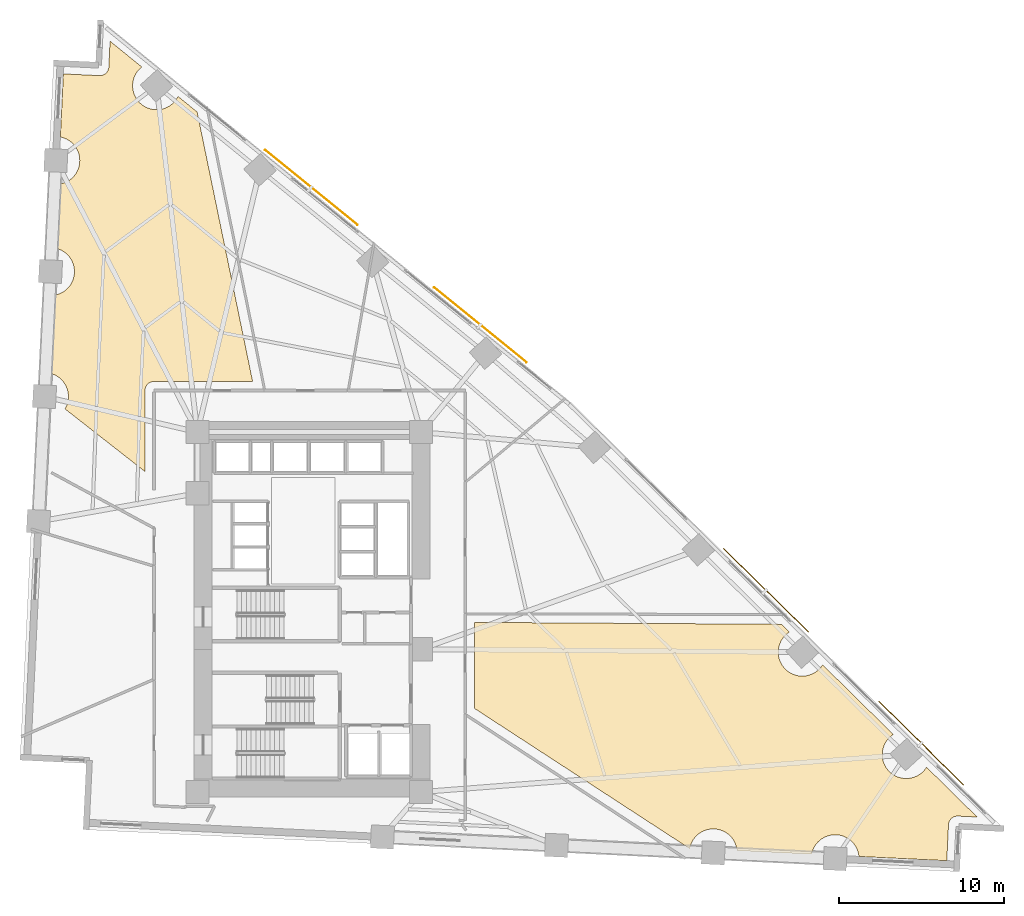
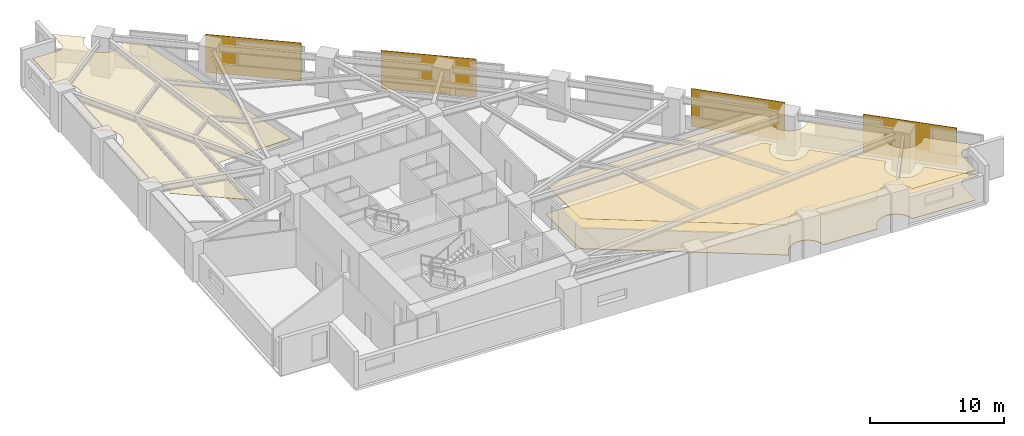
# One storey, part 17 of 17: 4 shading devices, 3 coverings.
"""IFC4 building model written with IfcOpenShell, lengths in metres."""

from ifc_helpers import new_model, si_unit, direction, frame, origin, origin_2d, place, context, subcontext, project, spatial, polyline, rectangle, outline, extrude, material, layer, layer_set, type_object, element, save


model = new_model("IFC4")

# Units and contexts
model_context = context("Model", 3, precision=1e-05, world=origin(), true_north=direction((0.0, 1.0)))
body_context = subcontext(model_context, "Body", "Model", "MODEL_VIEW")
ifc_project = project(units=[si_unit("LENGTHUNIT", "METRE"), si_unit("AREAUNIT", "SQUARE_METRE"), si_unit("VOLUMEUNIT", "CUBIC_METRE"), si_unit("PLANEANGLEUNIT", "RADIAN"), si_unit("MASSUNIT", "GRAM", prefix="KILO")], contexts=[model_context])

# Site, building, storey
site_placement = place(None, origin())
site = spatial("IfcSite", under=ifc_project, at=site_placement, CompositionType="ELEMENT")
building_placement = place(site_placement, origin())
building = spatial("IfcBuilding", under=site, at=building_placement, Name="Narakoshi Arena Tower", CompositionType="ELEMENT")
storey_placement = place(building_placement, frame((0.0, 0.0, 41.10009765625)))
storey = spatial("IfcBuildingStorey", under=building, at=storey_placement, Name="L10", CompositionType="ELEMENT", Elevation=41.10009765625)

# Coverings
ifc_material_1 = material(Name="Acoustic mineral-fibre ceiling tile")
ifc_layer_1 = layer(ifc_material_1, 0.02001953125)
ifc_layer_set_1 = layer_set([ifc_layer_1], Name="Acoustic mineral-fibre ceiling tile")
covering_type_1 = type_object("IfcCoveringType", Name="COV-CLG-AC20", PredefinedType="CEILING", material=ifc_layer_set_1)
covering_1_placement = place(storey_placement, frame((0.0, 0.0, 2.72998046875)))
element("IfcCovering", 1, at=covering_1_placement, inside=storey, type_object=covering_type_1, Name="L10 Suspended Acoustic Ceiling 1", PredefinedType="CEILING", context=body_context, shape_type="SweptSolid", body=[
    extrude(outline(polyline([(118.080810546875, 33.24267578125), (118.02685546875, 33.24267578125), (117.97314453125, 33.2373046875), (117.920166015625, 33.226806640625), (117.868408203125, 33.2109375), (117.818603515625, 33.190185546875), (117.77099609375, 33.164794921875), (117.726318359375, 33.134765625), (117.6845703125, 33.100341796875), (117.646484375, 33.062255859375), (117.6123046875, 33.0205078125), (117.582275390625, 32.9755859375), (117.556884765625, 32.927978515625), (117.536376953125, 32.8779296875), (117.520751953125, 32.826416015625), (117.51025390625, 32.7734375), (117.5048828125, 32.7197265625), (117.400390625, 30.542236328125), (112.07958984375, 30.7978515625), (112.079345703125, 30.803955078125), (112.05859375, 30.94482421875), (112.02392578125, 31.082763671875), (111.97607421875, 31.216796875), (111.915283203125, 31.345458984375), (111.842041015625, 31.467529296875), (111.75732421875, 31.581787109375), (111.66162109375, 31.687255859375), (111.556396484375, 31.78271484375), (111.44189453125, 31.867431640625), (111.31982421875, 31.940673828125), (111.19140625, 32.00146484375), (111.057373046875, 32.049560546875), (110.919189453125, 32.083984375), (110.778564453125, 32.10498046875), (110.636474609375, 32.11181640625), (110.494384765625, 32.10498046875), (110.353515625, 32.083984375), (110.215576171875, 32.049560546875), (110.08154296875, 32.00146484375), (109.952880859375, 31.940673828125), (109.830810546875, 31.867431640625), (109.716552734375, 31.78271484375), (109.611083984375, 31.687255859375), (109.515380859375, 31.581787109375), (109.430908203125, 31.467529296875), (109.357666015625, 31.345458984375), (109.296875, 31.216796875), (109.248779296875, 31.082763671875), (109.21435546875, 30.94482421875), (109.212890625, 30.935546875), (104.6962890625, 31.152587890625), (104.69580078125, 31.15869140625), (104.675048828125, 31.29931640625), (104.640380859375, 31.4375), (104.592529296875, 31.5712890625), (104.53173828125, 31.699951171875), (104.45849609375, 31.822021484375), (104.373779296875, 31.936279296875), (104.2783203125, 32.041748046875), (104.1728515625, 32.137451171875), (104.05859375, 32.22216796875), (103.936279296875, 32.29541015625), (103.807861328125, 32.356201171875), (103.673828125, 32.404052734375), (103.535888671875, 32.438720703125), (103.39501953125, 32.45947265625), (103.2529296875, 32.466552734375), (103.11083984375, 32.45947265625), (102.969970703125, 32.438720703125), (102.83203125, 32.404052734375), (102.697998046875, 32.356201171875), (102.5693359375, 32.29541015625), (102.447265625, 32.22216796875), (102.3330078125, 32.137451171875), (102.2275390625, 32.041748046875), (102.132080078125, 31.936279296875), (102.04736328125, 31.822021484375), (101.97412109375, 31.699951171875), (101.913330078125, 31.5712890625), (101.865234375, 31.4375), (101.830810546875, 31.29931640625), (101.829345703125, 31.290283203125), (101.797607421875, 31.291748046875), (88.78759765625, 39.765380859375), (88.78759765625, 44.976806640625), (107.382080078125, 44.86328125), (107.861328125, 44.391357421875), (107.838134765625, 44.37744140625), (107.723876953125, 44.292724609375), (107.618408203125, 44.197265625), (107.52294921875, 44.091796875), (107.438232421875, 43.9775390625), (107.364990234375, 43.85546875), (107.30419921875, 43.726806640625), (107.256103515625, 43.5927734375), (107.2216796875, 43.454833984375), (107.20068359375, 43.31396484375), (107.19384765625, 43.171875), (107.20068359375, 43.02978515625), (107.2216796875, 42.888916015625), (107.256103515625, 42.7509765625), (107.30419921875, 42.616943359375), (107.364990234375, 42.48828125), (107.438232421875, 42.3662109375), (107.52294921875, 42.251953125), (107.618408203125, 42.146484375), (107.723876953125, 42.051025390625), (107.838134765625, 41.96630859375), (107.960205078125, 41.89306640625), (108.0888671875, 41.832275390625), (108.222900390625, 41.7841796875), (108.36083984375, 41.749755859375), (108.501708984375, 41.72900390625), (108.643798828125, 41.721923828125), (108.785888671875, 41.72900390625), (108.9267578125, 41.749755859375), (109.064697265625, 41.7841796875), (109.19873046875, 41.832275390625), (109.327392578125, 41.89306640625), (109.449462890625, 41.96630859375), (109.563720703125, 42.051025390625), (109.669189453125, 42.146484375), (109.7646484375, 42.251953125), (109.849365234375, 42.3662109375), (109.875, 42.40869140625), (114.159912109375, 38.189453125), (114.13671875, 38.175537109375), (114.022216796875, 38.0908203125), (113.9169921875, 37.9951171875), (113.8212890625, 37.889892578125), (113.736572265625, 37.775390625), (113.663330078125, 37.6533203125), (113.6025390625, 37.52490234375), (113.5546875, 37.390869140625), (113.52001953125, 37.252685546875), (113.499267578125, 37.112060546875), (113.4921875, 36.969970703125), (113.499267578125, 36.827880859375), (113.52001953125, 36.68701171875), (113.5546875, 36.549072265625), (113.6025390625, 36.4150390625), (113.663330078125, 36.286376953125), (113.736572265625, 36.164306640625), (113.8212890625, 36.050048828125), (113.9169921875, 35.944580078125), (114.022216796875, 35.84912109375), (114.13671875, 35.764404296875), (114.2587890625, 35.691162109375), (114.38720703125, 35.63037109375), (114.521240234375, 35.582275390625), (114.6591796875, 35.5478515625), (114.800048828125, 35.52685546875), (114.942138671875, 35.52001953125), (115.084228515625, 35.52685546875), (115.22509765625, 35.5478515625), (115.363037109375, 35.582275390625), (115.4970703125, 35.63037109375), (115.625732421875, 35.691162109375), (115.747802734375, 35.764404296875), (115.862060546875, 35.84912109375), (115.967529296875, 35.944580078125), (116.06298828125, 36.050048828125), (116.147705078125, 36.164306640625), (116.17333984375, 36.206787109375), (119.239990234375, 33.18701171875), (118.080810546875, 33.24267578125)])), origin(), (0.0, 0.0, 1.0), 0.02001953125),
])
ifc_material_2 = material(Name="Slatted oak acoustic timber baffle", Category="wood")
ifc_layer_2 = layer(ifc_material_2, 0.034912109375)
ifc_layer_set_2 = layer_set([ifc_layer_2], Name="Slatted oak acoustic timber baffle")
covering_type_2 = type_object("IfcCoveringType", Name="COV-CLG-WD35", PredefinedType="CEILING", material=ifc_layer_set_2)
covering_2_placement = place(storey_placement, frame((0.0, 0.0, 2.71484375)))
element("IfcCovering", 2, at=covering_2_placement, inside=storey, type_object=covering_type_2, Name="L10 Suspended Acoustic Ceiling 2", PredefinedType="CEILING", context=body_context, shape_type="SweptSolid", body=[
    extrude(outline(polyline([(66.1171875, 78.10009765625), (66.1708984375, 78.10546875), (66.2236328125, 78.1162109375), (66.275390625, 78.1318359375), (66.3251953125, 78.152587890625), (66.372802734375, 78.177978515625), (66.41748046875, 78.2080078125), (66.459228515625, 78.242431640625), (66.497314453125, 78.280517578125), (66.531494140625, 78.322265625), (66.5615234375, 78.3671875), (66.5869140625, 78.414794921875), (66.607666015625, 78.46484375), (66.623291015625, 78.516357421875), (66.633544921875, 78.5693359375), (66.638916015625, 78.623046875), (66.7138671875, 80.185302734375), (68.63623046875, 78.622802734375), (68.611083984375, 78.60400390625), (68.505615234375, 78.508544921875), (68.41015625, 78.403076171875), (68.325439453125, 78.288818359375), (68.252197265625, 78.166748046875), (68.19140625, 78.0380859375), (68.143310546875, 77.904052734375), (68.10888671875, 77.76611328125), (68.087890625, 77.625244140625), (68.0810546875, 77.483154296875), (68.087890625, 77.341064453125), (68.10888671875, 77.2001953125), (68.143310546875, 77.062255859375), (68.19140625, 76.92822265625), (68.252197265625, 76.7998046875), (68.325439453125, 76.677490234375), (68.41015625, 76.563232421875), (68.505615234375, 76.4580078125), (68.611083984375, 76.3623046875), (68.725341796875, 76.277587890625), (68.847412109375, 76.204345703125), (68.97607421875, 76.1435546875), (69.110107421875, 76.095703125), (69.248046875, 76.06103515625), (69.388916015625, 76.040283203125), (69.531005859375, 76.033203125), (69.673095703125, 76.040283203125), (69.81396484375, 76.06103515625), (69.951904296875, 76.095703125), (70.0859375, 76.1435546875), (70.214599609375, 76.204345703125), (70.336669921875, 76.277587890625), (70.450927734375, 76.3623046875), (70.556396484375, 76.4580078125), (70.65185546875, 76.563232421875), (70.736572265625, 76.677490234375), (70.809814453125, 76.7998046875), (70.8291015625, 76.840576171875), (71.989501953125, 75.897216796875), (75.3505859375, 59.570068359375), (69.3798828125, 59.570068359375), (69.326171875, 59.5673828125), (69.272705078125, 59.559326171875), (69.22021484375, 59.54638671875), (69.16943359375, 59.528076171875), (69.12060546875, 59.505126953125), (69.074462890625, 59.477294921875), (69.031005859375, 59.4453125), (68.9912109375, 59.408935546875), (68.954833984375, 59.368896484375), (68.922607421875, 59.32568359375), (68.89501953125, 59.279296875), (68.871826171875, 59.23046875), (68.853759765625, 59.1796875), (68.840576171875, 59.127197265625), (68.83251953125, 59.073974609375), (68.830078125, 59.02001953125), (68.830078125, 54.114501953125), (63.98046875, 57.908935546875), (64.0205078125, 57.9755859375), (64.081298828125, 58.10400390625), (64.129150390625, 58.238037109375), (64.163818359375, 58.376220703125), (64.1845703125, 58.516845703125), (64.191650390625, 58.658935546875), (64.1845703125, 58.801025390625), (64.163818359375, 58.94189453125), (64.129150390625, 59.079833984375), (64.081298828125, 59.2138671875), (64.0205078125, 59.342529296875), (63.947265625, 59.464599609375), (63.862548828125, 59.578857421875), (63.766845703125, 59.684326171875), (63.66162109375, 59.77978515625), (63.547119140625, 59.864501953125), (63.425048828125, 59.937744140625), (63.29638671875, 59.99853515625), (63.16259765625, 60.046630859375), (63.0244140625, 60.0810546875), (63.01513671875, 60.08251953125), (63.2412109375, 64.784912109375), (63.247314453125, 64.785400390625), (63.387939453125, 64.80615234375), (63.52587890625, 64.8408203125), (63.659912109375, 64.888671875), (63.78857421875, 64.949462890625), (63.91064453125, 65.022705078125), (64.02490234375, 65.107421875), (64.13037109375, 65.202880859375), (64.22607421875, 65.308349609375), (64.310791015625, 65.422607421875), (64.3837890625, 65.544921875), (64.444580078125, 65.67333984375), (64.49267578125, 65.807373046875), (64.527099609375, 65.9453125), (64.548095703125, 66.086181640625), (64.55517578125, 66.228271484375), (64.548095703125, 66.370361328125), (64.527099609375, 66.51123046875), (64.49267578125, 66.649169921875), (64.444580078125, 66.783203125), (64.3837890625, 66.911865234375), (64.310791015625, 67.033935546875), (64.22607421875, 67.148193359375), (64.13037109375, 67.253662109375), (64.02490234375, 67.34912109375), (63.91064453125, 67.433837890625), (63.78857421875, 67.507080078125), (63.659912109375, 67.56787109375), (63.52587890625, 67.615966796875), (63.387939453125, 67.650390625), (63.37890625, 67.65185546875), (63.564208984375, 71.51318359375), (63.5703125, 71.513671875), (63.711181640625, 71.534423828125), (63.84912109375, 71.569091796875), (63.983154296875, 71.616943359375), (64.11181640625, 71.677734375), (64.23388671875, 71.7509765625), (64.34814453125, 71.835693359375), (64.45361328125, 71.931396484375), (64.54931640625, 72.03662109375), (64.6337890625, 72.15087890625), (64.70703125, 72.273193359375), (64.767822265625, 72.401611328125), (64.81591796875, 72.53564453125), (64.850341796875, 72.673583984375), (64.871337890625, 72.814453125), (64.87841796875, 72.95654296875), (64.871337890625, 73.0986328125), (64.850341796875, 73.239501953125), (64.81591796875, 73.37744140625), (64.767822265625, 73.511474609375), (64.70703125, 73.64013671875), (64.6337890625, 73.76220703125), (64.54931640625, 73.87646484375), (64.45361328125, 73.98193359375), (64.34814453125, 74.077392578125), (64.23388671875, 74.162109375), (64.11181640625, 74.2353515625), (63.983154296875, 74.296142578125), (63.84912109375, 74.34423828125), (63.711181640625, 74.378662109375), (63.701904296875, 74.380126953125), (63.8857421875, 78.20458984375), (66.06298828125, 78.10009765625), (66.1171875, 78.10009765625)])), origin(), (0.0, 0.0, 1.0), 0.03515625),
])
ifc_material_3 = material(Name="Raised steel access floor panel", Category="steel")
ifc_layer_3 = layer(ifc_material_3, 0.044921875)
ifc_layer_set_3 = layer_set([ifc_layer_3], Name="Raised steel access floor panel")
covering_type_3 = type_object("IfcCoveringType", Name="COV-FLR-RF45", PredefinedType="FLOORING", material=ifc_layer_set_3)
covering_3_placement = place(storey_placement, origin())
element("IfcCovering", 3, at=covering_3_placement, inside=storey, type_object=covering_type_3, Name="L10 Raised Steel Access Floor", PredefinedType="FLOORING", context=body_context, shape_type="SweptSolid", body=[
    extrude(outline(polyline([(118.080810546875, 33.24267578125), (118.02685546875, 33.24267578125), (117.97314453125, 33.2373046875), (117.920166015625, 33.226806640625), (117.868408203125, 33.2109375), (117.818603515625, 33.190185546875), (117.77099609375, 33.164794921875), (117.726318359375, 33.134765625), (117.6845703125, 33.100341796875), (117.646484375, 33.062255859375), (117.6123046875, 33.0205078125), (117.582275390625, 32.9755859375), (117.556884765625, 32.927978515625), (117.536376953125, 32.8779296875), (117.520751953125, 32.826416015625), (117.51025390625, 32.7734375), (117.5048828125, 32.7197265625), (117.400390625, 30.542236328125), (112.07958984375, 30.7978515625), (112.079345703125, 30.803955078125), (112.05859375, 30.94482421875), (112.02392578125, 31.082763671875), (111.97607421875, 31.216796875), (111.915283203125, 31.345458984375), (111.842041015625, 31.467529296875), (111.75732421875, 31.581787109375), (111.66162109375, 31.687255859375), (111.556396484375, 31.78271484375), (111.44189453125, 31.867431640625), (111.31982421875, 31.940673828125), (111.19140625, 32.00146484375), (111.057373046875, 32.049560546875), (110.919189453125, 32.083984375), (110.778564453125, 32.10498046875), (110.636474609375, 32.11181640625), (110.494384765625, 32.10498046875), (110.353515625, 32.083984375), (110.215576171875, 32.049560546875), (110.08154296875, 32.00146484375), (109.952880859375, 31.940673828125), (109.830810546875, 31.867431640625), (109.716552734375, 31.78271484375), (109.611083984375, 31.687255859375), (109.515380859375, 31.581787109375), (109.430908203125, 31.467529296875), (109.357666015625, 31.345458984375), (109.296875, 31.216796875), (109.248779296875, 31.082763671875), (109.21435546875, 30.94482421875), (109.212890625, 30.935546875), (104.6962890625, 31.152587890625), (104.69580078125, 31.15869140625), (104.675048828125, 31.29931640625), (104.640380859375, 31.4375), (104.592529296875, 31.5712890625), (104.53173828125, 31.699951171875), (104.45849609375, 31.822021484375), (104.373779296875, 31.936279296875), (104.2783203125, 32.041748046875), (104.1728515625, 32.137451171875), (104.05859375, 32.22216796875), (103.936279296875, 32.29541015625), (103.807861328125, 32.356201171875), (103.673828125, 32.404052734375), (103.535888671875, 32.438720703125), (103.39501953125, 32.45947265625), (103.2529296875, 32.466552734375), (103.11083984375, 32.45947265625), (102.969970703125, 32.438720703125), (102.83203125, 32.404052734375), (102.697998046875, 32.356201171875), (102.5693359375, 32.29541015625), (102.447265625, 32.22216796875), (102.3330078125, 32.137451171875), (102.2275390625, 32.041748046875), (102.132080078125, 31.936279296875), (102.04736328125, 31.822021484375), (101.97412109375, 31.699951171875), (101.913330078125, 31.5712890625), (101.865234375, 31.4375), (101.830810546875, 31.29931640625), (101.829345703125, 31.290283203125), (101.797607421875, 31.291748046875), (88.78759765625, 39.765380859375), (88.78759765625, 44.976806640625), (107.382080078125, 44.86328125), (107.861328125, 44.391357421875), (107.838134765625, 44.37744140625), (107.723876953125, 44.292724609375), (107.618408203125, 44.197265625), (107.52294921875, 44.091796875), (107.438232421875, 43.9775390625), (107.364990234375, 43.85546875), (107.30419921875, 43.726806640625), (107.256103515625, 43.5927734375), (107.2216796875, 43.454833984375), (107.20068359375, 43.31396484375), (107.19384765625, 43.171875), (107.20068359375, 43.02978515625), (107.2216796875, 42.888916015625), (107.256103515625, 42.7509765625), (107.30419921875, 42.616943359375), (107.364990234375, 42.48828125), (107.438232421875, 42.3662109375), (107.52294921875, 42.251953125), (107.618408203125, 42.146484375), (107.723876953125, 42.051025390625), (107.838134765625, 41.96630859375), (107.960205078125, 41.89306640625), (108.0888671875, 41.832275390625), (108.222900390625, 41.7841796875), (108.36083984375, 41.749755859375), (108.501708984375, 41.72900390625), (108.643798828125, 41.721923828125), (108.785888671875, 41.72900390625), (108.9267578125, 41.749755859375), (109.064697265625, 41.7841796875), (109.19873046875, 41.832275390625), (109.327392578125, 41.89306640625), (109.449462890625, 41.96630859375), (109.563720703125, 42.051025390625), (109.669189453125, 42.146484375), (109.7646484375, 42.251953125), (109.849365234375, 42.3662109375), (109.875, 42.40869140625), (114.159912109375, 38.189453125), (114.13671875, 38.175537109375), (114.022216796875, 38.0908203125), (113.9169921875, 37.9951171875), (113.8212890625, 37.889892578125), (113.736572265625, 37.775390625), (113.663330078125, 37.6533203125), (113.6025390625, 37.52490234375), (113.5546875, 37.390869140625), (113.52001953125, 37.252685546875), (113.499267578125, 37.112060546875), (113.4921875, 36.969970703125), (113.499267578125, 36.827880859375), (113.52001953125, 36.68701171875), (113.5546875, 36.549072265625), (113.6025390625, 36.4150390625), (113.663330078125, 36.286376953125), (113.736572265625, 36.164306640625), (113.8212890625, 36.050048828125), (113.9169921875, 35.944580078125), (114.022216796875, 35.84912109375), (114.13671875, 35.764404296875), (114.2587890625, 35.691162109375), (114.38720703125, 35.63037109375), (114.521240234375, 35.582275390625), (114.6591796875, 35.5478515625), (114.800048828125, 35.52685546875), (114.942138671875, 35.52001953125), (115.084228515625, 35.52685546875), (115.22509765625, 35.5478515625), (115.363037109375, 35.582275390625), (115.4970703125, 35.63037109375), (115.625732421875, 35.691162109375), (115.747802734375, 35.764404296875), (115.862060546875, 35.84912109375), (115.967529296875, 35.944580078125), (116.06298828125, 36.050048828125), (116.147705078125, 36.164306640625), (116.17333984375, 36.206787109375), (119.239990234375, 33.18701171875), (118.080810546875, 33.24267578125)])), origin(), (0.0, 0.0, 1.0), 0.044921875),
])

# Shading devices
ifc_material_4 = material(Name="Perforated bronze ceramic-metal composite")
ifc_layer_4 = layer(ifc_material_4, 0.044921875)
ifc_layer_set_4 = layer_set([ifc_layer_4], Name="Perforated bronze ceramic-metal composite")
shading_device_type = type_object("IfcShadingDeviceType", Name="SHD-SCR-BRZ1", PredefinedType="USERDEFINED", material=ifc_layer_set_4)
for number, where, z_axis, x_axis, name in (
    (4, (115.85498046875, 37.660400390625, 0.0), (0.0, 0.0, 1.0), (-0.712540559713, 0.70163092204, 0.0), "L10 Perforated Bronze Solar Screen 1-1"),
    (5, (106.44970703125, 46.921875, 0.0), (0.0, 0.0, 1.0), (-0.712540559713, 0.70163092204, 0.0), "L10 Perforated Bronze Solar Screen 1-2"),
    (6, (89.14208984375, 63.002685546875, 0.0), (0.0, 0.0, 1.0), (-0.776002375698, 0.630729984154, 0.0), "L10 Perforated Bronze Solar Screen 2-1"),
    (7, (78.898681640625, 71.328369140625, 0.0), (0.0, 0.0, 1.0), (-0.776002375698, 0.630729984154, 0.0), "L10 Perforated Bronze Solar Screen 2-2"),
):
    element("IfcShadingDevice", number, at=place(storey_placement, frame(where, z_axis=z_axis, x_axis=x_axis)), inside=storey, type_object=shading_device_type, Name=name, ObjectType="SOLAR SCREEN", PredefinedType="USERDEFINED", context=body_context, shape_type="SweptSolid", body=[
        extrude(rectangle(XDim=7.199951171875, YDim=0.044921875, at=origin_2d()), origin(), (0.0, 0.0, 1.0), 3.449951171875),
    ])

save(model, "model.ifc")
